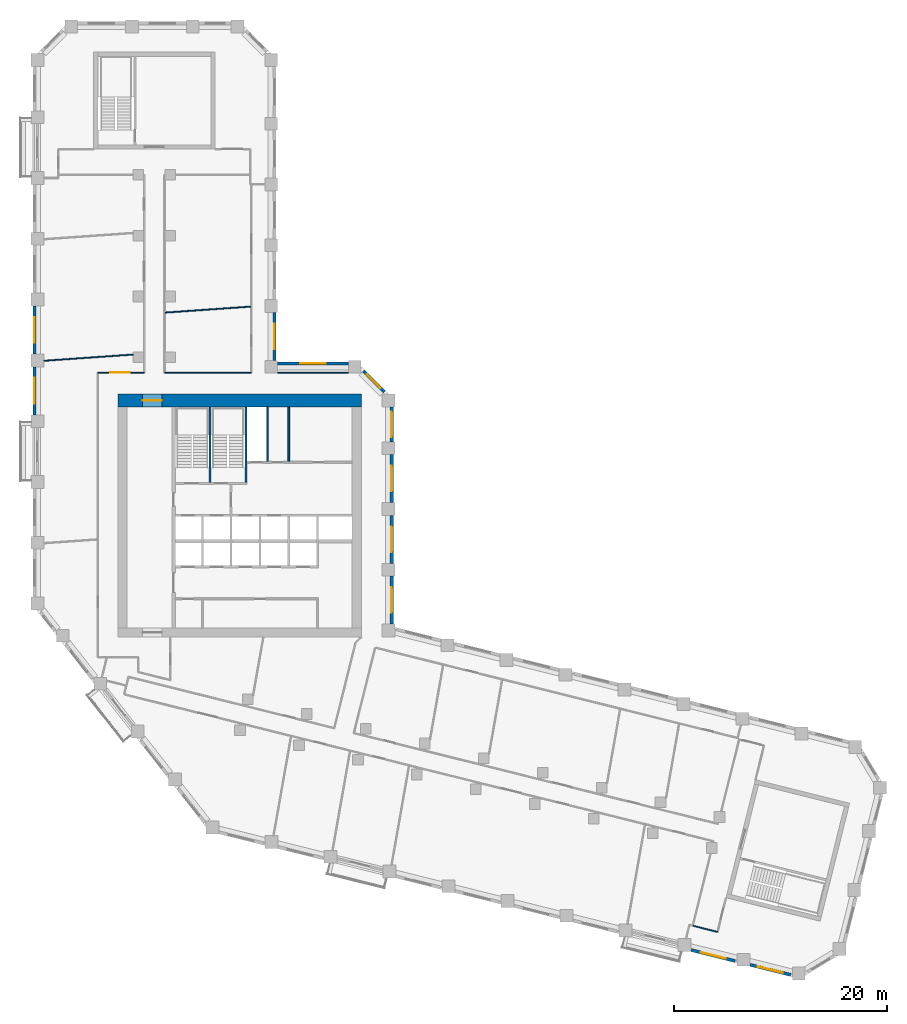
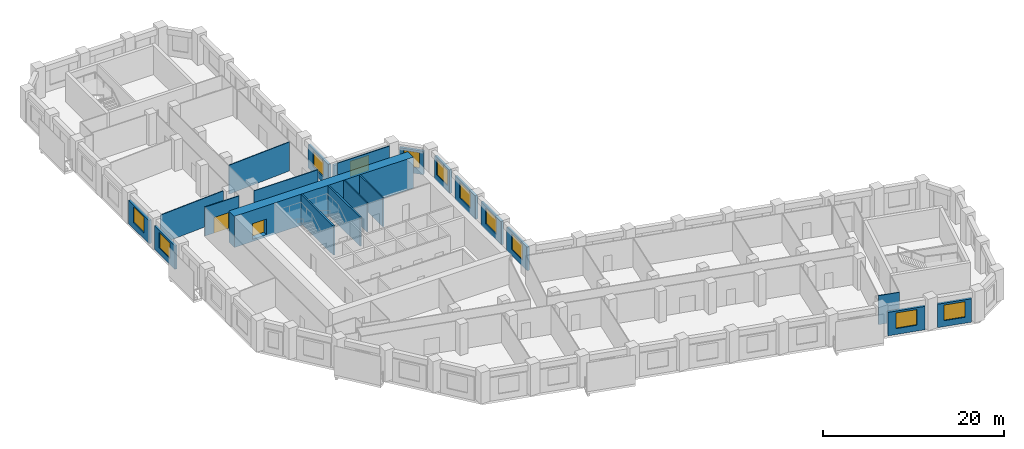
# One storey, part 6 of 10: 22 walls, 11 windows, 2 doors, 13 openings.
"""IFC4 building model written with IfcOpenShell, lengths in metres."""

from ifc_helpers import new_model, si_unit, direction, frame, frame_2d, origin, place, context, subcontext, project, spatial, rectangle, extrude, material, layer, layer_set, type_object, element, fill, save


model = new_model("IFC4")

# Units and contexts
model_context = context("Model", 3, precision=1e-05, world=origin(), true_north=direction((0.0, 1.0)))
body_context = subcontext(model_context, "Body", "Model", "MODEL_VIEW")
ifc_project = project(units=[si_unit("LENGTHUNIT", "METRE"), si_unit("AREAUNIT", "SQUARE_METRE"), si_unit("VOLUMEUNIT", "CUBIC_METRE"), si_unit("PLANEANGLEUNIT", "RADIAN"), si_unit("MASSUNIT", "GRAM", prefix="KILO")], contexts=[model_context])

# Site, building, storey
site_placement = place(None, origin())
site = spatial("IfcSite", under=ifc_project, at=site_placement, CompositionType="ELEMENT")
building_placement = place(site_placement, origin())
building = spatial("IfcBuilding", under=site, at=building_placement, Name="Meshkara Civic Tower", CompositionType="ELEMENT")
storey_placement = place(building_placement, frame((0.0, 0.0, 199.199951171875)))
storey = spatial("IfcBuildingStorey", under=building, at=storey_placement, Name="L45", CompositionType="ELEMENT", Elevation=199.199951171875)

# Walls
ifc_material_1 = material(Name="Blockwork", Category="masonry")
ifc_layer_1 = layer(ifc_material_1, 0.14990234375)
ifc_layer_set_1 = layer_set([ifc_layer_1], Name="Core partition 150")
wall_type_1 = type_object("IfcWallType", Name="Core partition 150", PredefinedType="PARTITIONING", material=ifc_layer_set_1)
for number, where, z_axis, x_axis, name in (
    (1, (22.0, 30.574951171875, 0.0), (0.0, 0.0, 1.0), (0.0, 1.0, 0.0), "L45-C018"),
    (2, (24.0, 30.574951171875, 0.0), (0.0, 0.0, 1.0), (0.0, 1.0, 0.0), "L45-C020"),
):
    element("IfcWall", number, at=place(storey_placement, frame(where, z_axis=z_axis, x_axis=x_axis)), inside=storey, type_object=wall_type_1, Name=name, PredefinedType="PARTITIONING", context=body_context, shape_type="SweptSolid", body=[
        extrude(rectangle(XDim=5.125, YDim=0.14990234375, at=frame_2d((2.5625, 0.0))), origin(), (0.0, 0.0, 1.0), 3.900146484375),
    ])

# Wall, opening, door
ifc_material_2 = material(Name="Concrete C70", Category="concrete")
ifc_layer_2 = layer(ifc_material_2, 1.199951171875)
ifc_layer_set_2 = layer_set([ifc_layer_2], Name="Core ring wall 1200 C70")
wall_type_2 = type_object("IfcWallType", Name="Core ring wall 1200 C70", PredefinedType="SHEAR", material=ifc_layer_set_2)
wall_1_placement = place(storey_placement, frame((8.0, 36.300048828125, -0.300048828125), z_axis=(0.0, 0.0, 1.0), x_axis=(1.0, 0.0, 0.0)))
wall_1 = element("IfcWall", 3, at=wall_1_placement, inside=storey, type_object=wall_type_2, Name="L45-C002", PredefinedType="SHEAR", context=body_context, shape_type="SweptSolid", body=[
    extrude(rectangle(XDim=22.800048828125, YDim=1.199951171875, at=frame_2d((11.39990234375, 0.0))), origin(), (0.0, 0.0, 1.0), 4.2001953125),
])
opening_1_placement = place(wall_1_placement, frame((2.300048828125, 0.0, 0.300048828125)))
opening_1 = element("IfcOpeningElement", 4, at=opening_1_placement, cuts=wall_1, Name="Opening L45-K020", PredefinedType="OPENING", context=body_context, shape_type="SweptSolid", body=[
    extrude(rectangle(XDim=1.800048828125, YDim=2.10009765625, at=frame_2d((0.89990234375, 1.050048828125))), frame((0.0, 0.60986328125, 0.0), z_axis=(0.0, -1.0, 0.0), x_axis=(1.0, 0.0, 0.0)), (0.0, 0.0, 1.0), 1.219970703125),
])
ifc_material_3 = material(Name="Fire-rated door leaf in steel frame", Category="steel")
door_type_1 = type_object("IfcDoorType", Name="Core double door 1800 EI 60", OperationType="DOUBLE_DOOR_SINGLE_SWING", PredefinedType="DOOR", material=ifc_material_3)
door_1_placement = place(opening_1_placement, origin())
door_1 = element("IfcDoor", 5, at=door_1_placement, inside=storey, type_object=door_type_1, Name="L45-K020", OperationType="DOUBLE_DOOR_SINGLE_SWING", OverallHeight=2.10009765625, OverallWidth=1.800048828125, PredefinedType="DOOR", context=body_context, shape_type="SweptSolid", body=[
    extrude(rectangle(XDim=1.800048828125, YDim=2.10009765625, at=frame_2d((0.89990234375, 1.050048828125))), frame((0.0, 0.02490234375, 0.0), z_axis=(0.0, -1.0, 0.0), x_axis=(1.0, 0.0, 0.0)), (0.0, 0.0, 1.0), 0.050048828125),
])
fill(opening_1, door_1)

ifc_material_4 = material(Name="Corridor wall 100")
ifc_layer_3 = layer(ifc_material_4, 0.10009765625)
ifc_layer_set_3 = layer_set([ifc_layer_3], Name="Corridor wall 100")
wall_type_3 = type_object("IfcWallType", Name="Corridor wall 100", PredefinedType="PARTITIONING", material=ifc_layer_set_3)
wall_2_placement = place(storey_placement, frame((10.449951171875, 38.89990234375, 0.0), z_axis=(0.0, 0.0, 1.0), x_axis=(-1.0, 0.0, 0.0)))
wall_2 = element("IfcWall", 6, at=wall_2_placement, inside=storey, type_object=wall_type_3, Name="L45-W011", PredefinedType="PARTITIONING", context=body_context, shape_type="SweptSolid", body=[
    extrude(rectangle(XDim=4.349853515625, YDim=0.10009765625, at=frame_2d((2.1748046875, 0.0))), origin(), (0.0, 0.0, 1.0), 3.900146484375),
])
opening_2_placement = place(wall_2_placement, frame((1.3798828125, 0.0, 0.0)))
opening_2 = element("IfcOpeningElement", 7, at=opening_2_placement, cuts=wall_2, Name="Opening L45-D017", PredefinedType="OPENING", context=body_context, shape_type="SweptSolid", body=[
    extrude(rectangle(XDim=1.800048828125, YDim=2.10009765625, at=frame_2d((0.89990234375, 1.050048828125))), frame((0.0, 0.06005859375, 0.0), z_axis=(0.0, -1.0, 0.0), x_axis=(1.0, 0.0, 0.0)), (0.0, 0.0, 1.0), 0.1201171875),
])
ifc_material_5 = material(Name="Door pair 1800 x 2100")
door_type_2 = type_object("IfcDoorType", Name="Door pair 1800 x 2100", OperationType="SINGLE_SWING_LEFT", PredefinedType="DOOR", material=ifc_material_5)
door_2_placement = place(opening_2_placement, origin())
door_2 = element("IfcDoor", 8, at=door_2_placement, inside=storey, type_object=door_type_2, Name="L45-D017", OperationType="DOUBLE_DOOR_SINGLE_SWING", OverallHeight=2.10009765625, OverallWidth=1.800048828125, PredefinedType="DOOR", context=body_context, shape_type="SweptSolid", body=[
    extrude(rectangle(XDim=1.800048828125, YDim=2.10009765625, at=frame_2d((0.89990234375, 1.050048828125))), frame((0.0, 0.02490234375, 0.0), z_axis=(0.0, -1.0, 0.0), x_axis=(1.0, 0.0, 0.0)), (0.0, 0.0, 1.0), 0.050048828125),
])
fill(opening_2, door_2)

# Walls
wall_3_placement = place(storey_placement, frame((20.5, 38.89990234375, 0.0), z_axis=(0.0, 0.0, 1.0), x_axis=(-1.0, 0.0, 0.0)))
element("IfcWall", 9, at=wall_3_placement, inside=storey, type_object=wall_type_3, Name="L45-W019", PredefinedType="PARTITIONING", context=body_context, shape_type="SweptSolid", body=[
    extrude(rectangle(XDim=8.14990234375, YDim=0.10009765625, at=frame_2d((4.074951171875, 0.0))), origin(), (0.0, 0.0, 1.0), 3.900146484375),
])
wall_4_placement = place(storey_placement, frame((29.593994140625, 38.89990234375, 0.0), z_axis=(0.0, 0.0, 1.0), x_axis=(-1.0, 0.0, 0.0)))
element("IfcWall", 10, at=wall_4_placement, inside=storey, type_object=wall_type_3, Name="L45-W021", PredefinedType="PARTITIONING", context=body_context, shape_type="SweptSolid", body=[
    extrude(rectangle(XDim=6.64404296875, YDim=0.10009765625, at=frame_2d((3.322021484375, 0.0))), origin(), (0.0, 0.0, 1.0), 3.900146484375),
])
wall_5_placement = place(storey_placement, frame((61.8740234375, -12.952880859375, 0.0), z_axis=(0.0, 0.0, 1.0), x_axis=(0.970256074659, -0.242080874063, 0.0)))
element("IfcWall", 11, at=wall_5_placement, inside=storey, type_object=wall_type_3, Name="L45-W027", PredefinedType="PARTITIONING", context=body_context, shape_type="SweptSolid", body=[
    extrude(rectangle(XDim=2.400146484375, YDim=0.10009765625, at=frame_2d((1.2001953125, 0.0))), origin(), (0.0, 0.0, 1.0), 3.900146484375),
])

# Wall, opening, window
ifc_material_6 = material(Name="Insulated infill panel with bronze anodised aluminium cladding", Category="aluminium")
ifc_layer_4 = layer(ifc_material_6, 0.300048828125)
ifc_layer_set_4 = layer_set([ifc_layer_4], Name="EXTERNAL INFILL WALL 300")
wall_type_4 = type_object("IfcWallType", Name="EXTERNAL INFILL WALL 300", PredefinedType="SOLIDWALL", material=ifc_layer_set_4)
wall_6_placement = place(storey_placement, frame((33.64990234375, 15.319091796875, 0.0), z_axis=(0.0, 0.0, 1.0), x_axis=(0.0, 1.0, 0.0)))
wall_6 = element("IfcWall", 12, at=wall_6_placement, inside=storey, type_object=wall_type_4, Name="External wall", PredefinedType="SOLIDWALL", context=body_context, shape_type="SweptSolid", body=[
    extrude(rectangle(XDim=4.5, YDim=0.300048828125, at=frame_2d((2.25, 0.0))), origin(), (0.0, 0.0, 1.0), 3.150146484375),
])
opening_3_placement = place(wall_6_placement, frame((1.050048828125, 0.0, 0.800048828125)))
opening_3 = element("IfcOpeningElement", 13, at=opening_3_placement, cuts=wall_6, Name="Opening W7", PredefinedType="OPENING", context=body_context, shape_type="SweptSolid", body=[
    extrude(rectangle(XDim=2.39990234375, YDim=2.10009765625, at=frame_2d((1.199951171875, 1.050048828125))), frame((0.0, 0.159912109375, 0.0), z_axis=(0.0, -1.0, 0.0), x_axis=(1.0, 0.0, 0.0)), (0.0, 0.0, 1.0), 0.320068359375),
])
ifc_material_7 = material(Name="Tinted double glazing", Category="glass")
window_type_1 = type_object("IfcWindowType", Name="WINDOW 2400x2100", PartitioningType="DOUBLE_PANEL_VERTICAL", PredefinedType="WINDOW", material=ifc_material_7)
window_1_placement = place(opening_3_placement, origin())
window_1 = element("IfcWindow", 14, at=window_1_placement, inside=storey, type_object=window_type_1, Name="Window", OverallHeight=2.10009765625, OverallWidth=2.39990234375, PartitioningType="DOUBLE_PANEL_VERTICAL", PredefinedType="WINDOW", context=body_context, shape_type="SweptSolid", body=[
    extrude(rectangle(XDim=2.39990234375, YDim=2.10009765625, at=frame_2d((1.199951171875, 1.050048828125))), frame((0.0, 0.030029296875, 0.0), z_axis=(0.0, -1.0, 0.0), x_axis=(1.0, 0.0, 0.0)), (0.0, 0.0, 1.0), 0.06005859375),
])
fill(opening_3, window_1)

wall_7_placement = place(storey_placement, frame((33.64990234375, 21.01904296875, 0.0), z_axis=(0.0, 0.0, 1.0), x_axis=(0.0, 1.0, 0.0)))
wall_7 = element("IfcWall", 15, at=wall_7_placement, inside=storey, type_object=wall_type_4, Name="External wall", PredefinedType="SOLIDWALL", context=body_context, shape_type="SweptSolid", body=[
    extrude(rectangle(XDim=4.5, YDim=0.300048828125, at=frame_2d((2.25, 0.0))), origin(), (0.0, 0.0, 1.0), 3.150146484375),
])
opening_4_placement = place(wall_7_placement, frame((1.050048828125, 0.0, 0.800048828125)))
opening_4 = element("IfcOpeningElement", 16, at=opening_4_placement, cuts=wall_7, Name="Opening W7", PredefinedType="OPENING", context=body_context, shape_type="SweptSolid", body=[
    extrude(rectangle(XDim=2.39990234375, YDim=2.10009765625, at=frame_2d((1.199951171875, 1.050048828125))), frame((0.0, 0.159912109375, 0.0), z_axis=(0.0, -1.0, 0.0), x_axis=(1.0, 0.0, 0.0)), (0.0, 0.0, 1.0), 0.320068359375),
])
window_2_placement = place(opening_4_placement, origin())
window_2 = element("IfcWindow", 17, at=window_2_placement, inside=storey, type_object=window_type_1, Name="Window", OverallHeight=2.10009765625, OverallWidth=2.39990234375, PartitioningType="DOUBLE_PANEL_VERTICAL", PredefinedType="WINDOW", context=body_context, shape_type="SweptSolid", body=[
    extrude(rectangle(XDim=2.39990234375, YDim=2.10009765625, at=frame_2d((1.199951171875, 1.050048828125))), frame((0.0, 0.030029296875, 0.0), z_axis=(0.0, -1.0, 0.0), x_axis=(1.0, 0.0, 0.0)), (0.0, 0.0, 1.0), 0.06005859375),
])
fill(opening_4, window_2)

wall_8_placement = place(storey_placement, frame((33.64990234375, 26.718994140625, 0.0), z_axis=(0.0, 0.0, 1.0), x_axis=(0.0, 1.0, 0.0)))
wall_8 = element("IfcWall", 18, at=wall_8_placement, inside=storey, type_object=wall_type_4, Name="External wall", PredefinedType="SOLIDWALL", context=body_context, shape_type="SweptSolid", body=[
    extrude(rectangle(XDim=4.5, YDim=0.300048828125, at=frame_2d((2.25, 0.0))), origin(), (0.0, 0.0, 1.0), 3.150146484375),
])
opening_5_placement = place(wall_8_placement, frame((1.050048828125, 0.0, 0.800048828125)))
opening_5 = element("IfcOpeningElement", 19, at=opening_5_placement, cuts=wall_8, Name="Opening W7", PredefinedType="OPENING", context=body_context, shape_type="SweptSolid", body=[
    extrude(rectangle(XDim=2.39990234375, YDim=2.10009765625, at=frame_2d((1.199951171875, 1.050048828125))), frame((0.0, 0.159912109375, 0.0), z_axis=(0.0, -1.0, 0.0), x_axis=(1.0, 0.0, 0.0)), (0.0, 0.0, 1.0), 0.320068359375),
])
window_3_placement = place(opening_5_placement, origin())
window_3 = element("IfcWindow", 20, at=window_3_placement, inside=storey, type_object=window_type_1, Name="Window", OverallHeight=2.10009765625, OverallWidth=2.39990234375, PartitioningType="DOUBLE_PANEL_VERTICAL", PredefinedType="WINDOW", context=body_context, shape_type="SweptSolid", body=[
    extrude(rectangle(XDim=2.39990234375, YDim=2.10009765625, at=frame_2d((1.199951171875, 1.050048828125))), frame((0.0, 0.030029296875, 0.0), z_axis=(0.0, -1.0, 0.0), x_axis=(1.0, 0.0, 0.0)), (0.0, 0.0, 1.0), 0.06005859375),
])
fill(opening_5, window_3)

wall_9_placement = place(storey_placement, frame((33.64990234375, 32.4189453125, 0.0), z_axis=(0.0, 0.0, 1.0), x_axis=(0.0, 1.0, 0.0)))
wall_9 = element("IfcWall", 21, at=wall_9_placement, inside=storey, type_object=wall_type_4, Name="External wall", PredefinedType="SOLIDWALL", context=body_context, shape_type="SweptSolid", body=[
    extrude(rectangle(XDim=3.275146484375, YDim=0.300048828125, at=frame_2d((1.6376953125, 0.0))), origin(), (0.0, 0.0, 1.0), 3.150146484375),
])
opening_6_placement = place(wall_9_placement, frame((0.43798828125, 0.0, 0.800048828125)))
opening_6 = element("IfcOpeningElement", 22, at=opening_6_placement, cuts=wall_9, Name="Opening W7", PredefinedType="OPENING", context=body_context, shape_type="SweptSolid", body=[
    extrude(rectangle(XDim=2.39990234375, YDim=2.10009765625, at=frame_2d((1.199951171875, 1.050048828125))), frame((0.0, 0.159912109375, 0.0), z_axis=(0.0, -1.0, 0.0), x_axis=(1.0, 0.0, 0.0)), (0.0, 0.0, 1.0), 0.320068359375),
])
window_4_placement = place(opening_6_placement, origin())
window_4 = element("IfcWindow", 23, at=window_4_placement, inside=storey, type_object=window_type_1, Name="Window", OverallHeight=2.10009765625, OverallWidth=2.39990234375, PartitioningType="DOUBLE_PANEL_VERTICAL", PredefinedType="WINDOW", context=body_context, shape_type="SweptSolid", body=[
    extrude(rectangle(XDim=2.39990234375, YDim=2.10009765625, at=frame_2d((1.199951171875, 1.050048828125))), frame((0.0, 0.030029296875, 0.0), z_axis=(0.0, -1.0, 0.0), x_axis=(1.0, 0.0, 0.0)), (0.0, 0.0, 1.0), 0.06005859375),
])
fill(opening_6, window_4)

wall_10_placement = place(storey_placement, frame((32.9619140625, 37.10595703125, 0.0), z_axis=(0.0, 0.0, 1.0), x_axis=(-0.707062649074, 0.707150910545, 0.0)))
wall_10 = element("IfcWall", 24, at=wall_10_placement, inside=storey, type_object=wall_type_4, Name="External wall", PredefinedType="SOLIDWALL", context=body_context, shape_type="SweptSolid", body=[
    extrude(rectangle(XDim=2.76611328125, YDim=0.300048828125, at=frame_2d((1.383056640625, 0.0))), origin(), (0.0, 0.0, 1.0), 3.150146484375),
])
opening_7_placement = place(wall_10_placement, frame((0.48291015625, 0.0, 0.800048828125)))
opening_7 = element("IfcOpeningElement", 25, at=opening_7_placement, cuts=wall_10, Name="Opening W9", PredefinedType="OPENING", context=body_context, shape_type="SweptSolid", body=[
    extrude(rectangle(XDim=1.800048828125, YDim=2.10009765625, at=frame_2d((0.89990234375, 1.050048828125))), frame((0.0, 0.159912109375, 0.0), z_axis=(0.0, -1.0, 0.0), x_axis=(1.0, 0.0, 0.0)), (0.0, 0.0, 1.0), 0.320068359375),
])
ifc_material_8 = material(Name="Tinted double glazing", Category="glass")
window_type_2 = type_object("IfcWindowType", Name="WINDOW 1800x2100", PartitioningType="DOUBLE_PANEL_VERTICAL", PredefinedType="WINDOW", material=ifc_material_8)
window_5_placement = place(opening_7_placement, origin())
window_5 = element("IfcWindow", 26, at=window_5_placement, inside=storey, type_object=window_type_2, Name="Window", OverallHeight=2.10009765625, OverallWidth=1.800048828125, PartitioningType="DOUBLE_PANEL_VERTICAL", PredefinedType="WINDOW", context=body_context, shape_type="SweptSolid", body=[
    extrude(rectangle(XDim=1.800048828125, YDim=2.10009765625, at=frame_2d((0.89990234375, 1.050048828125))), frame((0.0, 0.030029296875, 0.0), z_axis=(0.0, -1.0, 0.0), x_axis=(1.0, 0.0, 0.0)), (0.0, 0.0, 1.0), 0.06005859375),
])
fill(opening_7, window_5)

wall_11_placement = place(storey_placement, frame((29.593994140625, 39.75, 0.0), z_axis=(0.0, 0.0, 1.0), x_axis=(-1.0, 0.0, 0.0)))
wall_11 = element("IfcWall", 27, at=wall_11_placement, inside=storey, type_object=wall_type_4, Name="External wall", PredefinedType="SOLIDWALL", context=body_context, shape_type="SweptSolid", body=[
    extrude(rectangle(XDim=6.64404296875, YDim=0.300048828125, at=frame_2d((3.322021484375, 0.0))), origin(), (0.0, 0.0, 1.0), 3.150146484375),
])
opening_8_placement = place(wall_11_placement, frame((2.1220703125, 0.0, 0.800048828125)))
opening_8 = element("IfcOpeningElement", 28, at=opening_8_placement, cuts=wall_11, Name="Opening W7", PredefinedType="OPENING", context=body_context, shape_type="SweptSolid", body=[
    extrude(rectangle(XDim=2.39990234375, YDim=2.10009765625, at=frame_2d((1.199951171875, 1.050048828125))), frame((0.0, 0.159912109375, 0.0), z_axis=(0.0, -1.0, 0.0), x_axis=(1.0, 0.0, 0.0)), (0.0, 0.0, 1.0), 0.320068359375),
])
window_6_placement = place(opening_8_placement, origin())
window_6 = element("IfcWindow", 29, at=window_6_placement, inside=storey, type_object=window_type_1, Name="Window", OverallHeight=2.10009765625, OverallWidth=2.39990234375, PartitioningType="DOUBLE_PANEL_VERTICAL", PredefinedType="WINDOW", context=body_context, shape_type="SweptSolid", body=[
    extrude(rectangle(XDim=2.39990234375, YDim=2.10009765625, at=frame_2d((1.199951171875, 1.050048828125))), frame((0.0, 0.030029296875, 0.0), z_axis=(0.0, -1.0, 0.0), x_axis=(1.0, 0.0, 0.0)), (0.0, 0.0, 1.0), 0.06005859375),
])
fill(opening_8, window_6)

wall_12_placement = place(storey_placement, frame((22.64990234375, 40.050048828125, 0.0), z_axis=(0.0, 0.0, 1.0), x_axis=(0.0, 1.0, 0.0)))
wall_12 = element("IfcWall", 30, at=wall_12_placement, inside=storey, type_object=wall_type_4, Name="External wall", PredefinedType="SOLIDWALL", context=body_context, shape_type="SweptSolid", body=[
    extrude(rectangle(XDim=4.5, YDim=0.300048828125, at=frame_2d((2.25, 0.0))), origin(), (0.0, 0.0, 1.0), 3.150146484375),
])
opening_9_placement = place(wall_12_placement, frame((1.050048828125, 0.0, 0.800048828125)))
opening_9 = element("IfcOpeningElement", 31, at=opening_9_placement, cuts=wall_12, Name="Opening W7", PredefinedType="OPENING", context=body_context, shape_type="SweptSolid", body=[
    extrude(rectangle(XDim=2.39990234375, YDim=2.10009765625, at=frame_2d((1.199951171875, 1.050048828125))), frame((0.0, 0.159912109375, 0.0), z_axis=(0.0, -1.0, 0.0), x_axis=(1.0, 0.0, 0.0)), (0.0, 0.0, 1.0), 0.320068359375),
])
window_7_placement = place(opening_9_placement, origin())
window_7 = element("IfcWindow", 32, at=window_7_placement, inside=storey, type_object=window_type_1, Name="Window", OverallHeight=2.10009765625, OverallWidth=2.39990234375, PartitioningType="DOUBLE_PANEL_VERTICAL", PredefinedType="WINDOW", context=body_context, shape_type="SweptSolid", body=[
    extrude(rectangle(XDim=2.39990234375, YDim=2.10009765625, at=frame_2d((1.199951171875, 1.050048828125))), frame((0.0, 0.030029296875, 0.0), z_axis=(0.0, -1.0, 0.0), x_axis=(1.0, 0.0, 0.0)), (0.0, 0.0, 1.0), 0.06005859375),
])
fill(opening_9, window_7)

wall_13_placement = place(storey_placement, frame((0.14990234375, 45.155029296875, 0.0), z_axis=(0.0, 0.0, 1.0), x_axis=(0.0, -1.0, 0.0)))
wall_13 = element("IfcWall", 33, at=wall_13_placement, inside=storey, type_object=wall_type_4, Name="External wall", PredefinedType="SOLIDWALL", context=body_context, shape_type="SweptSolid", body=[
    extrude(rectangle(XDim=4.5, YDim=0.300048828125, at=frame_2d((2.25, 0.0))), origin(), (0.0, 0.0, 1.0), 3.150146484375),
])
opening_10_placement = place(wall_13_placement, frame((1.050048828125, 0.0, 0.800048828125)))
opening_10 = element("IfcOpeningElement", 34, at=opening_10_placement, cuts=wall_13, Name="Opening W7", PredefinedType="OPENING", context=body_context, shape_type="SweptSolid", body=[
    extrude(rectangle(XDim=2.39990234375, YDim=2.10009765625, at=frame_2d((1.199951171875, 1.050048828125))), frame((0.0, 0.159912109375, 0.0), z_axis=(0.0, -1.0, 0.0), x_axis=(1.0, 0.0, 0.0)), (0.0, 0.0, 1.0), 0.320068359375),
])
window_8_placement = place(opening_10_placement, origin())
window_8 = element("IfcWindow", 35, at=window_8_placement, inside=storey, type_object=window_type_1, Name="Window", OverallHeight=2.10009765625, OverallWidth=2.39990234375, PartitioningType="DOUBLE_PANEL_VERTICAL", PredefinedType="WINDOW", context=body_context, shape_type="SweptSolid", body=[
    extrude(rectangle(XDim=2.39990234375, YDim=2.10009765625, at=frame_2d((1.199951171875, 1.050048828125))), frame((0.0, 0.030029296875, 0.0), z_axis=(0.0, -1.0, 0.0), x_axis=(1.0, 0.0, 0.0)), (0.0, 0.0, 1.0), 0.06005859375),
])
fill(opening_10, window_8)

wall_14_placement = place(storey_placement, frame((0.14990234375, 39.455078125, 0.0), z_axis=(0.0, 0.0, 1.0), x_axis=(0.0, -1.0, 0.0)))
wall_14 = element("IfcWall", 36, at=wall_14_placement, inside=storey, type_object=wall_type_4, Name="External wall", PredefinedType="SOLIDWALL", context=body_context, shape_type="SweptSolid", body=[
    extrude(rectangle(XDim=4.5, YDim=0.300048828125, at=frame_2d((2.25, 0.0))), origin(), (0.0, 0.0, 1.0), 3.150146484375),
])
opening_11_placement = place(wall_14_placement, frame((1.050048828125, 0.0, 0.800048828125)))
opening_11 = element("IfcOpeningElement", 37, at=opening_11_placement, cuts=wall_14, Name="Opening W7", PredefinedType="OPENING", context=body_context, shape_type="SweptSolid", body=[
    extrude(rectangle(XDim=2.39990234375, YDim=2.10009765625, at=frame_2d((1.199951171875, 1.050048828125))), frame((0.0, 0.159912109375, 0.0), z_axis=(0.0, -1.0, 0.0), x_axis=(1.0, 0.0, 0.0)), (0.0, 0.0, 1.0), 0.320068359375),
])
window_9_placement = place(opening_11_placement, origin())
window_9 = element("IfcWindow", 38, at=window_9_placement, inside=storey, type_object=window_type_1, Name="Window", OverallHeight=2.10009765625, OverallWidth=2.39990234375, PartitioningType="DOUBLE_PANEL_VERTICAL", PredefinedType="WINDOW", context=body_context, shape_type="SweptSolid", body=[
    extrude(rectangle(XDim=2.39990234375, YDim=2.10009765625, at=frame_2d((1.199951171875, 1.050048828125))), frame((0.0, 0.030029296875, 0.0), z_axis=(0.0, -1.0, 0.0), x_axis=(1.0, 0.0, 0.0)), (0.0, 0.0, 1.0), 0.06005859375),
])
fill(opening_11, window_9)

wall_15_placement = place(storey_placement, frame((61.72998046875, -15.236083984375, 0.0), z_axis=(0.0, 0.0, 1.0), x_axis=(0.970304663212, -0.241886048688, 0.0)))
wall_15 = element("IfcWall", 39, at=wall_15_placement, inside=storey, type_object=wall_type_4, Name="External wall", PredefinedType="SOLIDWALL", context=body_context, shape_type="SweptSolid", body=[
    extrude(rectangle(XDim=4.2451171875, YDim=0.300048828125, at=frame_2d((2.12255859375, 0.0))), origin(), (0.0, 0.0, 1.0), 3.150146484375),
])
opening_12_placement = place(wall_15_placement, frame((0.922119140625, 0.0, 0.800048828125)))
opening_12 = element("IfcOpeningElement", 40, at=opening_12_placement, cuts=wall_15, Name="Opening W7", PredefinedType="OPENING", context=body_context, shape_type="SweptSolid", body=[
    extrude(rectangle(XDim=2.39990234375, YDim=2.10009765625, at=frame_2d((1.199951171875, 1.050048828125))), frame((0.0, 0.159912109375, 0.0), z_axis=(0.0, -1.0, 0.0), x_axis=(1.0, 0.0, 0.0)), (0.0, 0.0, 1.0), 0.320068359375),
])
window_10_placement = place(opening_12_placement, origin())
window_10 = element("IfcWindow", 41, at=window_10_placement, inside=storey, type_object=window_type_1, Name="Window", OverallHeight=2.10009765625, OverallWidth=2.39990234375, PartitioningType="DOUBLE_PANEL_VERTICAL", PredefinedType="WINDOW", context=body_context, shape_type="SweptSolid", body=[
    extrude(rectangle(XDim=2.39990234375, YDim=2.10009765625, at=frame_2d((1.199951171875, 1.050048828125))), frame((0.0, 0.030029296875, 0.0), z_axis=(0.0, -1.0, 0.0), x_axis=(1.0, 0.0, 0.0)), (0.0, 0.0, 1.0), 0.06005859375),
])
fill(opening_12, window_10)

wall_16_placement = place(storey_placement, frame((67.260009765625, -16.614990234375, 0.0), z_axis=(0.0, 0.0, 1.0), x_axis=(0.97033344074, -0.241770580885, 0.0)))
wall_16 = element("IfcWall", 42, at=wall_16_placement, inside=storey, type_object=wall_type_4, Name="External wall", PredefinedType="SOLIDWALL", context=body_context, shape_type="SweptSolid", body=[
    extrude(rectangle(XDim=3.905029296875, YDim=0.300048828125, at=frame_2d((1.95263671875, 0.0))), origin(), (0.0, 0.0, 1.0), 3.150146484375),
])
opening_13_placement = place(wall_16_placement, frame((0.751953125, 0.0, 0.800048828125)))
opening_13 = element("IfcOpeningElement", 43, at=opening_13_placement, cuts=wall_16, Name="Opening W7", PredefinedType="OPENING", context=body_context, shape_type="SweptSolid", body=[
    extrude(rectangle(XDim=2.39990234375, YDim=2.10009765625, at=frame_2d((1.199951171875, 1.050048828125))), frame((0.0, 0.159912109375, 0.0), z_axis=(0.0, -1.0, 0.0), x_axis=(1.0, 0.0, 0.0)), (0.0, 0.0, 1.0), 0.320068359375),
])
window_11_placement = place(opening_13_placement, origin())
window_11 = element("IfcWindow", 44, at=window_11_placement, inside=storey, type_object=window_type_1, Name="Window", OverallHeight=2.10009765625, OverallWidth=2.39990234375, PartitioningType="DOUBLE_PANEL_VERTICAL", PredefinedType="WINDOW", context=body_context, shape_type="SweptSolid", body=[
    extrude(rectangle(XDim=2.39990234375, YDim=2.10009765625, at=frame_2d((1.199951171875, 1.050048828125))), frame((0.0, 0.030029296875, 0.0), z_axis=(0.0, -1.0, 0.0), x_axis=(1.0, 0.0, 0.0)), (0.0, 0.0, 1.0), 0.06005859375),
])
fill(opening_13, window_11)

# Walls
ifc_material_9 = material(Name="Partition 100")
ifc_layer_5 = layer(ifc_material_9, 0.10009765625)
ifc_layer_set_5 = layer_set([ifc_layer_5], Name="Partition 100")
wall_type_5 = type_object("IfcWallType", Name="Partition 100", PredefinedType="PARTITIONING", material=ifc_layer_set_5)
wall_17_placement = place(storey_placement, frame((9.39990234375, 40.60107421875, 0.0), z_axis=(0.0, 0.0, 1.0), x_axis=(-0.997555044264, -0.069885146225, 0.0)))
element("IfcWall", 45, at=wall_17_placement, inside=storey, type_object=wall_type_5, Name="L45-W039", PredefinedType="PARTITIONING", context=body_context, shape_type="SweptSolid", body=[
    extrude(rectangle(XDim=8.370361328125, YDim=0.10009765625, at=frame_2d((4.18505859375, 0.0))), origin(), (0.0, 0.0, 1.0), 3.900146484375),
])
wall_18_placement = place(storey_placement, frame((20.447021484375, 45.096923828125, 0.0), z_axis=(0.0, 0.0, 1.0), x_axis=(-0.997568153989, -0.069697762853, 0.0)))
element("IfcWall", 46, at=wall_18_placement, inside=storey, type_object=wall_type_5, Name="L45-W042", PredefinedType="PARTITIONING", context=body_context, shape_type="SweptSolid", body=[
    extrude(rectangle(XDim=8.0634765625, YDim=0.10009765625, at=frame_2d((4.03173828125, 0.0))), origin(), (0.0, 0.0, 1.0), 3.900146484375),
])
ifc_material_10 = material(Name="Concrete C40/50", Category="concrete")
ifc_layer_6 = layer(ifc_material_10, 0.199951171875)
ifc_layer_set_6 = layer_set([ifc_layer_6], Name="Stair enclosure wall 200 C40/50")
wall_type_6 = type_object("IfcWallType", Name="Stair enclosure wall 200 C40/50", PredefinedType="SOLIDWALL", material=ifc_layer_set_6)
for number, where, z_axis, x_axis, name in (
    (47, (16.60009765625, 28.60009765625, 0.0), (0.0, 0.0, 1.0), (0.0, 1.0, 0.0), "L45-C014"),
    (48, (20.0, 28.60009765625, 0.0), (0.0, 0.0, 1.0), (0.0, 1.0, 0.0), "L45-C016"),
):
    element("IfcWall", number, at=place(storey_placement, frame(where, z_axis=z_axis, x_axis=x_axis)), inside=storey, type_object=wall_type_6, Name=name, PredefinedType="SOLIDWALL", context=body_context, shape_type="SweptSolid", body=[
        extrude(rectangle(XDim=7.099853515625, YDim=0.199951171875, at=frame_2d((3.5498046875, 0.0))), origin(), (0.0, 0.0, 1.0), 3.900146484375),
    ])

save(model, "model.ifc")
